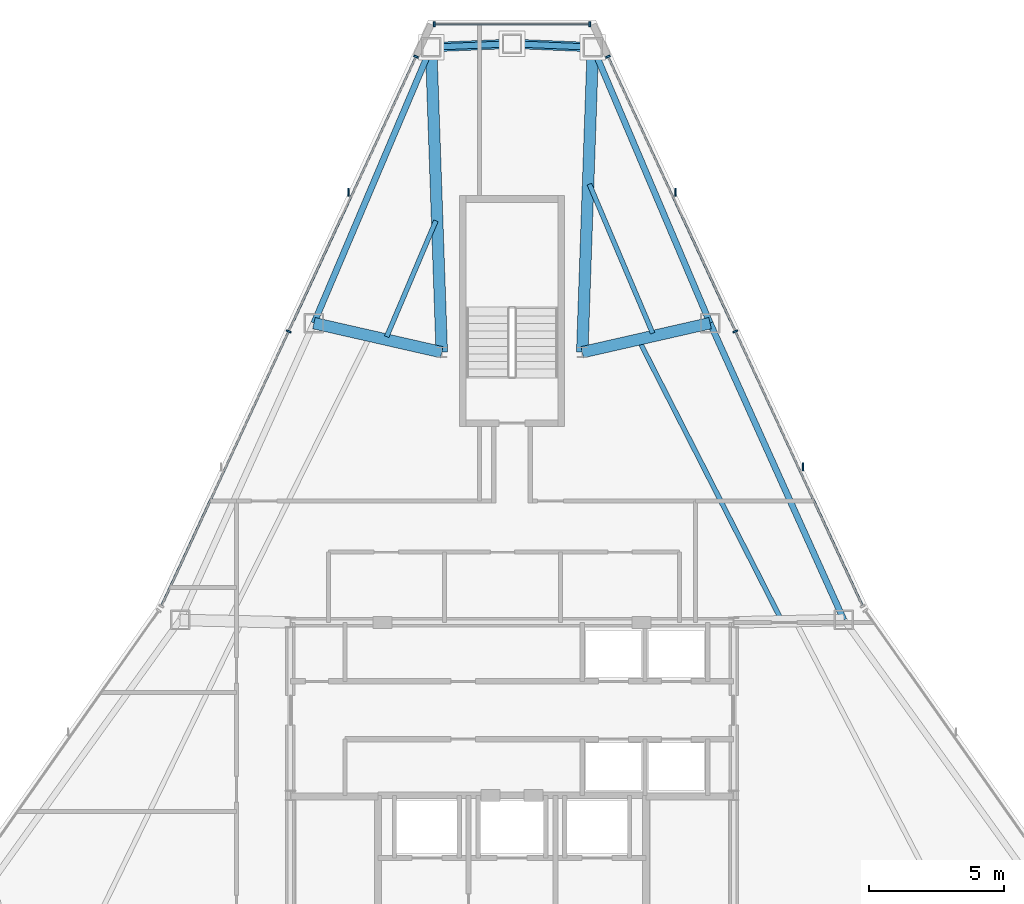
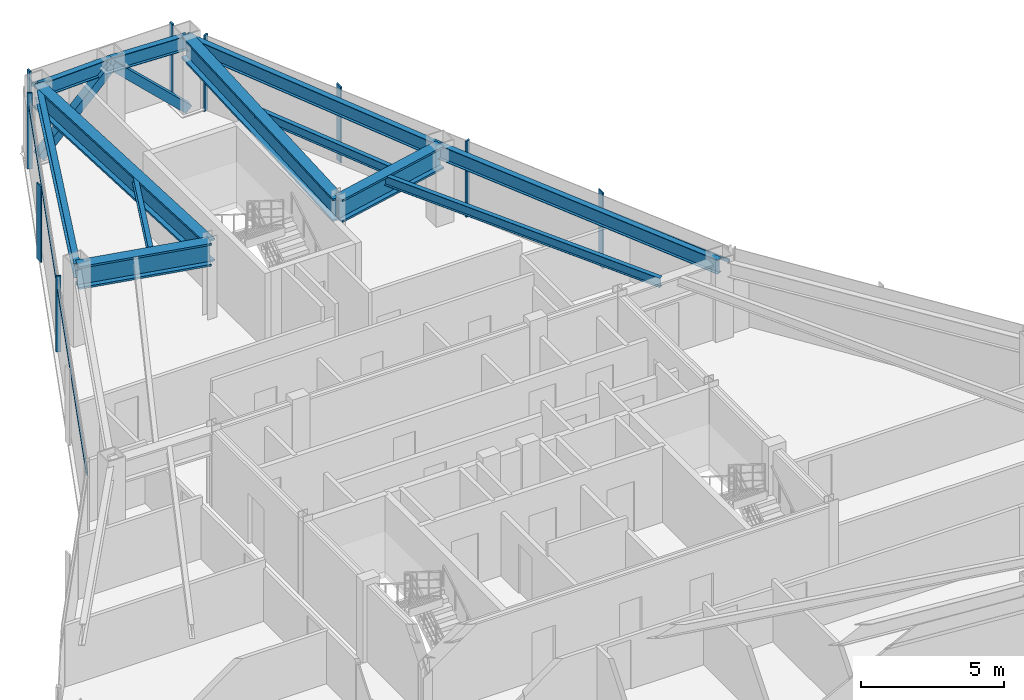
# One storey, part 7 of 12: 14 members, 12 beams, 3 elements without a shape of their own.
"""IFC4 building model written with IfcOpenShell, lengths in metres."""

from ifc_helpers import new_model, si_unit, direction, frame, origin, origin_2d, place, context, subcontext, project, spatial, rectangle, hollow_rectangle, i_section, extrude, source, transform, mapped, material, layer, layer_set, material_profile, profile_set, type_object, type_shapes, element, aggregate, save


model = new_model("IFC4")

# Units and contexts
model_context = context("Model", 3, precision=1e-05, world=origin(), true_north=direction((0.0, 1.0)))
body_context = subcontext(model_context, "Body", "Model", "MODEL_VIEW")
ifc_project = project(units=[si_unit("LENGTHUNIT", "METRE"), si_unit("AREAUNIT", "SQUARE_METRE"), si_unit("VOLUMEUNIT", "CUBIC_METRE"), si_unit("PLANEANGLEUNIT", "RADIAN"), si_unit("MASSUNIT", "GRAM", prefix="KILO")], contexts=[model_context])

# Site, building, storey
site_placement = place(None, origin())
site = spatial("IfcSite", under=ifc_project, at=site_placement, CompositionType="ELEMENT")
building_placement = place(site_placement, origin())
building = spatial("IfcBuilding", under=site, at=building_placement, Name="Varakhsha Concourse Tower", CompositionType="ELEMENT")
storey_placement = place(building_placement, frame((0.0, 0.0, 239.89990234375)))
storey = spatial("IfcBuildingStorey", under=building, at=storey_placement, Name="L68", CompositionType="ELEMENT", Elevation=239.89990234375)

# Beams
ifc_material_1 = material(Name="Structural Steel ASTM A992 Grade 50", Category="steel")
ifc_material_profile_1 = material_profile(ifc_material_1, i_section(OverallWidth=0.177978515625, OverallDepth=0.406982421875, WebThickness=0.008056640625, FlangeThickness=0.012939453125, at=origin_2d()), Name="W16X40")
ifc_profile_set_1 = profile_set([ifc_material_profile_1], Name="Structural Steel ASTM A992 Grade 50")
beam_type_1 = type_object("IfcBeamType", Name="BM-JST-W16X40", PredefinedType="JOIST", material=ifc_profile_set_1)
beam_1_placement = place(storey_placement, frame((37.183837890625, 46.066650390625, 3.046630859375), z_axis=(-0.390890037273, -0.920437384487, 0.0), x_axis=(0.920437384487, -0.390890037273, 0.0)))
element("IfcBeam", 1, at=beam_1_placement, inside=storey, type_object=beam_type_1, Name="BM-TJST-L68-03", PredefinedType="JOIST", context=body_context, shape_type="SweptSolid", body=[
    extrude(i_section(OverallWidth=0.177978515625, OverallDepth=0.406982421875, WebThickness=0.008056640625, FlangeThickness=0.012939453125, at=origin_2d()), origin(), (0.0, 0.0, 1.0), 4.662353515625),
])
beam_2_placement = place(storey_placement, frame((49.9462890625, 31.338134765625, 3.046630859375), z_axis=(-0.45386498126, 0.891070467913, 0.0), x_axis=(-0.891070467913, -0.45386498126, 0.0)))
element("IfcBeam", 2, at=beam_2_placement, inside=storey, type_object=beam_type_1, Name="BM-TJST-L68-17", PredefinedType="JOIST", context=body_context, shape_type="SweptSolid", body=[
    extrude(i_section(OverallWidth=0.177978515625, OverallDepth=0.406982421875, WebThickness=0.008056640625, FlangeThickness=0.012939453125, at=origin_2d()), origin(), (0.0, 0.0, 1.0), 11.4892578125),
])
beam_3_placement = place(storey_placement, frame((45.206298828125, 41.904541015625, 3.046630859375), z_axis=(-0.390893955618, 0.92043572044, 0.0), x_axis=(-0.92043572044, -0.390893955618, 0.0)))
element("IfcBeam", 3, at=beam_3_placement, inside=storey, type_object=beam_type_1, Name="BM-TJST-L68-18", PredefinedType="JOIST", context=body_context, shape_type="SweptSolid", body=[
    extrude(i_section(OverallWidth=0.177978515625, OverallDepth=0.406982421875, WebThickness=0.008056640625, FlangeThickness=0.012939453125, at=origin_2d()), origin(), (0.0, 0.0, 1.0), 5.993896484375),
])
ifc_material_profile_2 = material_profile(ifc_material_1, i_section(OverallWidth=0.22900390625, OverallDepth=0.612060546875, WebThickness=0.011962890625, FlangeThickness=0.02001953125, at=origin_2d()), Name="W24X84")
ifc_profile_set_2 = profile_set([ifc_material_profile_2], Name="Structural Steel ASTM A992 Grade 50")
beam_type_2 = type_object("IfcBeamType", Name="BM-SPAN-W24X84", PredefinedType="SPANDREL", material=ifc_profile_set_2)
for number, where, z_axis, x_axis, name in (
    (4, (42.993408203125, 52.490966796875, 2.944091796875), (-0.99911218874, 0.042128782447, 0.0), (-0.042128782447, -0.99911218874, 0.0), "BM-SPAN-L68-01"),
    (5, (40.0, 52.6171875, 2.944091796875), (-0.99911218874, -0.042128782447, 0.0), (0.042128782447, -0.99911218874, 0.0), "BM-SPAN-L68-02"),
):
    element("IfcBeam", number, at=place(storey_placement, frame(where, z_axis=z_axis, x_axis=x_axis)), inside=storey, type_object=beam_type_2, Name=name, PredefinedType="SPANDREL", context=body_context, shape_type="SweptSolid", body=[
        extrude(i_section(OverallWidth=0.22900390625, OverallDepth=0.612060546875, WebThickness=0.011962890625, FlangeThickness=0.02001953125, at=origin_2d()), origin(), (0.0, 0.0, 1.0), 2.99609375),
    ])
beam_4_placement = place(storey_placement, frame((37.006591796875, 52.490966796875, 2.944091796875), z_axis=(-0.390892779421, -0.92043621995, 0.0), x_axis=(0.92043621995, -0.390892779421, 0.0)))
element("IfcBeam", 6, at=beam_4_placement, inside=storey, type_object=beam_type_2, Name="BM-SPAN-L68-03", PredefinedType="SPANDREL", context=body_context, shape_type="SweptSolid", body=[
    extrude(i_section(OverallWidth=0.22900390625, OverallDepth=0.612060546875, WebThickness=0.011962890625, FlangeThickness=0.02001953125, at=origin_2d()), origin(), (0.0, 0.0, 1.0), 11.0966796875),
])
beam_5_placement = place(storey_placement, frame((52.2822265625, 31.291259765625, 2.944091796875), z_axis=(-0.410885236605, 0.911687074791, 0.0), x_axis=(-0.911687074791, -0.410885236605, 0.0)))
element("IfcBeam", 7, at=beam_5_placement, inside=storey, type_object=beam_type_2, Name="BM-SPAN-L68-17", PredefinedType="SPANDREL", context=body_context, shape_type="SweptSolid", body=[
    extrude(i_section(OverallWidth=0.22900390625, OverallDepth=0.612060546875, WebThickness=0.011962890625, FlangeThickness=0.02001953125, at=origin_2d()), origin(), (0.0, 0.0, 1.0), 12.050048828125),
])
beam_6_placement = place(storey_placement, frame((47.3310546875, 42.277099609375, 2.944091796875), z_axis=(-0.390892779421, 0.92043621995, 0.0), x_axis=(-0.92043621995, -0.390892779421, 0.0)))
element("IfcBeam", 8, at=beam_6_placement, inside=storey, type_object=beam_type_2, Name="BM-SPAN-L68-18", PredefinedType="SPANDREL", context=body_context, shape_type="SweptSolid", body=[
    extrude(i_section(OverallWidth=0.22900390625, OverallDepth=0.612060546875, WebThickness=0.011962890625, FlangeThickness=0.02001953125, at=origin_2d()), origin(), (0.0, 0.0, 1.0), 11.0966796875),
])
ifc_material_profile_3 = material_profile(ifc_material_1, i_section(OverallWidth=0.427978515625, OverallDepth=0.97509765625, WebThickness=0.050048828125, FlangeThickness=0.0810546875, at=origin_2d()), Name="W36X395")
ifc_profile_set_3 = profile_set([ifc_material_profile_3], Name="Structural Steel ASTM A992 Grade 50")
beam_type_3 = type_object("IfcBeamType", Name="BM-XFER-W36X395", PredefinedType="USERDEFINED", material=ifc_profile_set_3)
for number, where, z_axis, x_axis, name in (
    (9, (42.60009765625, 41.199951171875, 2.7626953125), (0.03481282417, 0.999393849928, 0.0), (-0.999393849928, 0.03481282417, 0.0), "L68 Radial Floor Girder 01"),
    (10, (37.39990234375, 41.199951171875, 2.7626953125), (-0.03481282417, 0.999393849928, 0.0), (-0.999393849928, -0.03481282417, 0.0), "L68 Radial Floor Girder 03"),
):
    element("IfcBeam", number, at=place(storey_placement, frame(where, z_axis=z_axis, x_axis=x_axis)), inside=storey, type_object=beam_type_3, Name=name, ObjectType="GIRDER", PredefinedType="USERDEFINED", context=body_context, shape_type="SweptSolid", body=[
        extrude(i_section(OverallWidth=0.427978515625, OverallDepth=0.97509765625, WebThickness=0.050048828125, FlangeThickness=0.0810546875, at=origin_2d()), origin(), (0.0, 0.0, 1.0), 11.2978515625),
    ])
for number, where, z_axis, x_axis, name in (
    (11, (37.39990234375, 41.199951171875, 2.7626953125), (-0.975046778501, 0.221999503909, 0.0), (-0.221999503909, -0.975046778501, 0.0), "L68 Radial Floor Girder 04"),
    (12, (42.60009765625, 41.199951171875, 2.7626953125), (0.975046778501, 0.221999503909, 0.0), (-0.221999503909, 0.975046778501, 0.0), "L68 Radial Floor Girder 18"),
):
    element("IfcBeam", number, at=place(storey_placement, frame(where, z_axis=z_axis, x_axis=x_axis)), inside=storey, type_object=beam_type_3, Name=name, ObjectType="GIRDER", PredefinedType="USERDEFINED", context=body_context, shape_type="SweptSolid", body=[
        extrude(i_section(OverallWidth=0.427978515625, OverallDepth=0.97509765625, WebThickness=0.050048828125, FlangeThickness=0.0810546875, at=origin_2d()), origin(), (0.0, 0.0, 1.0), 4.85205078125),
    ])

# Members
ifc_material_2 = material(Name="Structural Steel ASTM A500 Grade C", Category="steel")
ifc_material_profile_4 = material_profile(ifc_material_2, hollow_rectangle(XDim=0.35009765625, YDim=0.35009765625, WallThickness=0.01611328125, at=origin_2d()), Name="HSS 350x350x16")
ifc_profile_set_4 = profile_set([ifc_material_profile_4], Name="Structural Steel ASTM A500 Grade C")
member_type_1 = type_object("IfcMemberType", Name="MB-TUBE-HSS350", PredefinedType="BRACE", material=ifc_profile_set_4)
shared_shape_1 = source(origin(), body_context, "Body", "SweptSolid", [
    extrude(hollow_rectangle(XDim=0.35009765625, YDim=0.35009765625, WallThickness=0.01611328125, at=origin_2d()), origin(), (0.0, 0.0, 1.0), 4.121337890625),
])
type_shapes(member_type_1, [shared_shape_1])
for number, where, z_axis, x_axis, name in (
    (13, (42.993408203125, 52.490966796875, 0.1201171875), (-0.726312250369, 0.03062584075, 0.686682293963), (-0.042128782447, -0.99911218874, 0.0), "L68 Wind-Corner Tube Brace B01"),
    (14, (37.006591796875, 52.490966796875, 0.1201171875), (0.726312250369, 0.03062584075, 0.686682293963), (-0.042128782447, 0.99911218874, 0.0), "L68 Wind-Corner Tube Brace B02"),
):
    element("IfcMember", number, at=place(storey_placement, frame(where, z_axis=z_axis, x_axis=x_axis)), inside=storey, type_object=member_type_1, Name=name, PredefinedType="BRACE", context=body_context, shape_type="MappedRepresentation", body=[
        mapped(shared_shape_1, transform((0.0, 0.0, 0.0), scale=1.0)),
    ])

# Curtain wall, members
ifc_material_3 = material(Name="Anodised Bronze Architectural Aluminium AA 6063-T6", Category="aluminium")
ifc_layer = layer(ifc_material_3, 0.199951171875, Name="CW-SYS-05")
ifc_layer_set = layer_set([ifc_layer], Name="Anodised Bronze Architectural Aluminium AA 6063-T6")
curtain_wall_type = type_object("IfcCurtainWallType", Name="CW-SYS-05", PredefinedType="NOTDEFINED", material=ifc_layer_set)
curtain_wall_1_placement = place(storey_placement, origin())
curtain_wall_1 = element("IfcCurtainWall", 15, at=curtain_wall_1_placement, inside=storey, type_object=curtain_wall_type, Name="L68 Chamfer Curtain Wall F1", PredefinedType="NOTDEFINED")
ifc_material_profile_5 = material_profile(ifc_material_3, rectangle(XDim=0.06494140625, YDim=0.179931640625, at=origin_2d()), Name="CWM-180X65")
ifc_profile_set_5 = profile_set([ifc_material_profile_5], Name="Anodised Bronze Architectural Aluminium AA 6063-T6")
member_type_2 = type_object("IfcMemberType", Name="CWM-180X65", PredefinedType="MULLION", material=ifc_profile_set_5)
shared_shape_2 = source(origin(), body_context, "Body", "SweptSolid", [
    extrude(rectangle(XDim=0.06494140625, YDim=0.179931640625, at=origin_2d()), origin(), (0.0, 0.0, 1.0), 3.25),
])
type_shapes(member_type_2, [shared_shape_2])
member_1_placement = place(storey_placement, frame((37.1201171875, 53.33740234375, 0.0), z_axis=(0.0, 0.0, 1.0), x_axis=(1.0, 0.0, 0.0)))
member_1 = element("IfcMember", 16, at=member_1_placement, type_object=member_type_2, Name="CW-L68-F1 Mullion 00", PredefinedType="MULLION", context=body_context, shape_type="MappedRepresentation", body=[
    mapped(shared_shape_2, transform((0.0, 0.0, 0.0), scale=1.0)),
])
member_2_placement = place(storey_placement, frame((42.8798828125, 53.33740234375, 0.0), z_axis=(0.0, 0.0, 1.0), x_axis=(1.0, 0.0, 0.0)))
member_2 = element("IfcMember", 17, at=member_2_placement, type_object=member_type_2, Name="CW-L68-F1 Mullion 01", PredefinedType="MULLION", context=body_context, shape_type="MappedRepresentation", body=[
    mapped(shared_shape_2, transform((0.0, 0.0, 0.0), scale=1.0)),
])

curtain_wall_2_placement = place(storey_placement, origin())
curtain_wall_2 = element("IfcCurtainWall", 18, at=curtain_wall_2_placement, inside=storey, type_object=curtain_wall_type, Name="L68 Crystal Curtain Wall F2", PredefinedType="NOTDEFINED")
member_3_placement = place(storey_placement, frame((31.73388671875, 41.97216796875, 0.0), z_axis=(0.0, 0.0, 1.0), x_axis=(0.420546577212, 0.907270949824, 0.0)))
member_3 = element("IfcMember", 19, at=member_3_placement, type_object=member_type_2, Name="CW-L68-F2 Mullion 01", PredefinedType="MULLION", context=body_context, shape_type="MappedRepresentation", body=[
    mapped(shared_shape_2, transform((0.0, 0.0, 0.0), scale=1.0)),
])
member_4_placement = place(storey_placement, frame((36.447998046875, 52.1416015625, 0.0), z_axis=(0.0, 0.0, 1.0), x_axis=(0.420546577212, 0.907270949824, 0.0)))
member_4 = element("IfcMember", 20, at=member_4_placement, type_object=member_type_2, Name="CW-L68-F2 Mullion 02", PredefinedType="MULLION", context=body_context, shape_type="MappedRepresentation", body=[
    mapped(shared_shape_2, transform((0.0, 0.0, 0.0), scale=1.0)),
])

curtain_wall_3_placement = place(storey_placement, origin())
curtain_wall_3 = element("IfcCurtainWall", 21, at=curtain_wall_3_placement, inside=storey, type_object=curtain_wall_type, Name="L68 Crystal Curtain Wall F9", PredefinedType="NOTDEFINED")
member_5_placement = place(storey_placement, frame((43.552001953125, 52.1416015625, 0.0), z_axis=(0.0, 0.0, 1.0), x_axis=(0.420546577212, -0.907270949824, 0.0)))
member_5 = element("IfcMember", 22, at=member_5_placement, type_object=member_type_2, Name="CW-L68-F9 Mullion 00", PredefinedType="MULLION", context=body_context, shape_type="MappedRepresentation", body=[
    mapped(shared_shape_2, transform((0.0, 0.0, 0.0), scale=1.0)),
])
member_6_placement = place(storey_placement, frame((48.26611328125, 41.97216796875, 0.0), z_axis=(0.0, 0.0, 1.0), x_axis=(0.420546577212, -0.907270949824, 0.0)))
member_6 = element("IfcMember", 23, at=member_6_placement, type_object=member_type_2, Name="CW-L68-F9 Mullion 01", PredefinedType="MULLION", context=body_context, shape_type="MappedRepresentation", body=[
    mapped(shared_shape_2, transform((0.0, 0.0, 0.0), scale=1.0)),
])

# Member
ifc_material_profile_6 = material_profile(ifc_material_3, rectangle(XDim=0.054931640625, YDim=0.300048828125, at=origin_2d()), Name="FIN-BRZ-300")
ifc_profile_set_6 = profile_set([ifc_material_profile_6], Name="Anodised Bronze Architectural Aluminium AA 6063-T6")
member_type_3 = type_object("IfcMemberType", Name="FIN-BRZ-300", PredefinedType="USERDEFINED", material=ifc_profile_set_6)
shared_shape_3 = source(origin(), body_context, "Body", "SweptSolid", [
    extrude(rectangle(XDim=0.054931640625, YDim=0.300048828125, at=origin_2d()), origin(), (0.0, 0.0, 1.0), 3.25),
])
type_shapes(member_type_3, [shared_shape_3])
member_7_placement = place(storey_placement, frame((33.94140625, 47.126220703125, 0.0), z_axis=(0.0, 0.0, 1.0), x_axis=(1.0, 0.0, 0.0)))
member_7 = element("IfcMember", 24, at=member_7_placement, type_object=member_type_3, Name="L68 Anodised Bronze Solar Fin F2-2", ObjectType="SOLAR FIN", PredefinedType="USERDEFINED", context=body_context, shape_type="MappedRepresentation", body=[
    mapped(shared_shape_3, transform((0.0, 0.0, 0.0), scale=1.0)),
])

member_8_placement = place(storey_placement, frame((46.05859375, 47.126220703125, 0.0), z_axis=(0.0, 0.0, 1.0), x_axis=(1.0, 0.0, 0.0)))
member_8 = element("IfcMember", 25, at=member_8_placement, type_object=member_type_3, Name="L68 Anodised Bronze Solar Fin F9-1", ObjectType="SOLAR FIN", PredefinedType="USERDEFINED", context=body_context, shape_type="MappedRepresentation", body=[
    mapped(shared_shape_3, transform((0.0, 0.0, 0.0), scale=1.0)),
])

member_9_placement = place(storey_placement, frame((50.772705078125, 36.956787109375, 0.0), z_axis=(0.0, 0.0, 1.0), x_axis=(1.0, 0.0, 0.0)))
member_9 = element("IfcMember", 26, at=member_9_placement, type_object=member_type_3, Name="L68 Anodised Bronze Solar Fin F9-2", ObjectType="SOLAR FIN", PredefinedType="USERDEFINED", context=body_context, shape_type="MappedRepresentation", body=[
    mapped(shared_shape_3, transform((0.0, 0.0, 0.0), scale=1.0)),
])

ifc_material_profile_7 = material_profile(ifc_material_3, rectangle(XDim=0.06005859375, YDim=0.139892578125, at=origin_2d()), Name="CWT-140X60")
ifc_profile_set_7 = profile_set([ifc_material_profile_7], Name="Anodised Bronze Architectural Aluminium AA 6063-T6")
member_type_4 = type_object("IfcMemberType", Name="CWT-140X60", PredefinedType="USERDEFINED", material=ifc_profile_set_7)
shared_shape_4 = source(origin(), body_context, "Body", "SweptSolid", [
    extrude(rectangle(XDim=0.06005859375, YDim=0.139892578125, at=origin_2d()), origin(), (0.0, 0.0, 1.0), 22.41796875),
])
member_10_placement = place(storey_placement, frame((27.02001953125, 31.802490234375, 2.60009765625), z_axis=(0.420554160195, 0.907267434852, 0.0), x_axis=(-0.907267434852, 0.420554160195, 0.0)))
member_10 = element("IfcMember", 27, at=member_10_placement, type_object=member_type_4, Name="CW-L68-F2 Transom 01", ObjectType="TRANSOM", PredefinedType="USERDEFINED", context=body_context, shape_type="MappedRepresentation", body=[
    mapped(shared_shape_4, transform((0.0, 0.0, 0.0), scale=1.0)),
])

aggregate(curtain_wall_2, [member_3, member_4, member_10, member_7])

member_11_placement = place(storey_placement, frame((43.552001953125, 52.1416015625, 2.60009765625), z_axis=(0.420554160195, -0.907267434852, 0.0), x_axis=(0.907267434852, 0.420554160195, 0.0)))
member_11 = element("IfcMember", 28, at=member_11_placement, type_object=member_type_4, Name="CW-L68-F9 Transom 01", ObjectType="TRANSOM", PredefinedType="USERDEFINED", context=body_context, shape_type="MappedRepresentation", body=[
    mapped(shared_shape_4, transform((0.0, 0.0, 0.0), scale=1.0)),
])

aggregate(curtain_wall_3, [member_5, member_6, member_11, member_8, member_9])

shared_shape_5 = source(origin(), body_context, "Body", "SweptSolid", [
    extrude(rectangle(XDim=0.06005859375, YDim=0.139892578125, at=origin_2d()), origin(), (0.0, 0.0, 1.0), 5.759765625),
])
type_shapes(member_type_4, [shared_shape_4, shared_shape_5])
member_12_placement = place(storey_placement, frame((37.1201171875, 53.33740234375, 2.60009765625), z_axis=(1.0, 0.0, 0.0), x_axis=(0.0, 1.0, 0.0)))
member_12 = element("IfcMember", 29, at=member_12_placement, type_object=member_type_4, Name="CW-L68-F1 Transom 01", ObjectType="TRANSOM", PredefinedType="USERDEFINED", context=body_context, shape_type="MappedRepresentation", body=[
    mapped(shared_shape_5, transform((0.0, 0.0, 0.0), scale=1.0)),
])

aggregate(curtain_wall_1, [member_1, member_2, member_12])

save(model, "model.ifc")
